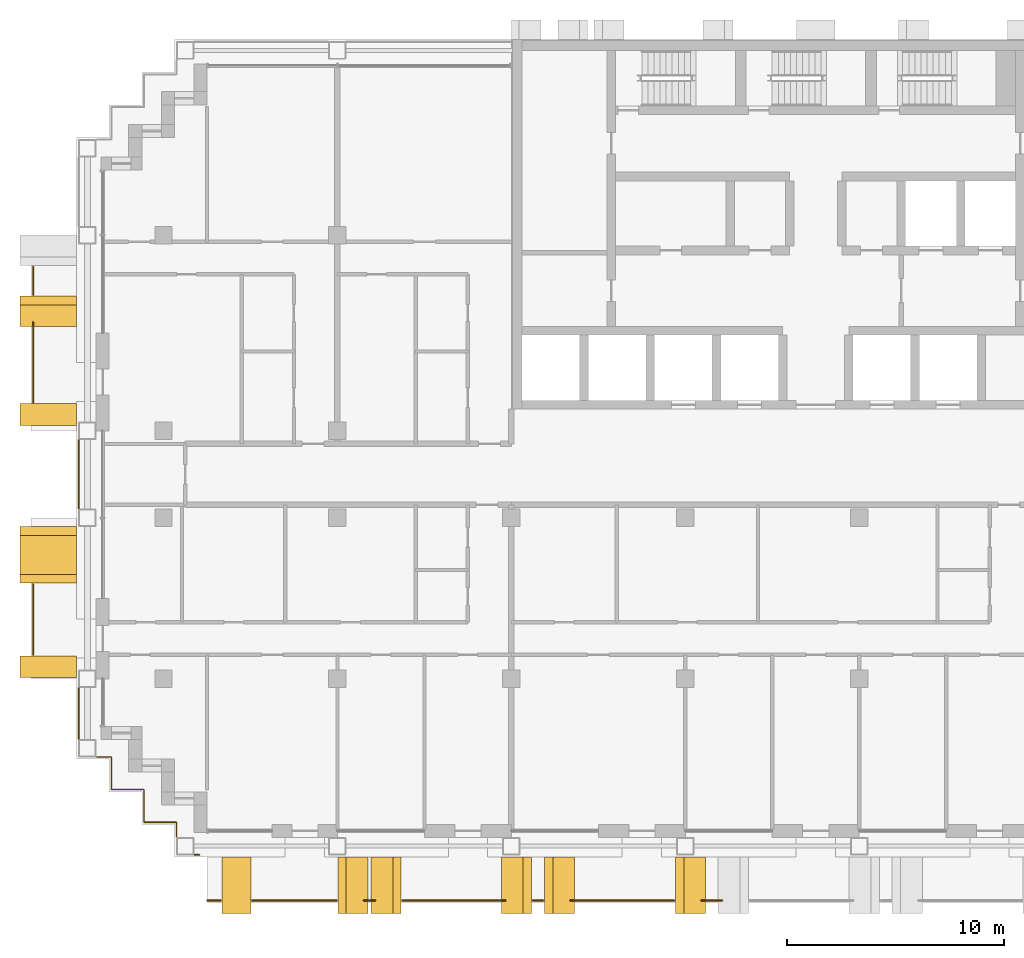
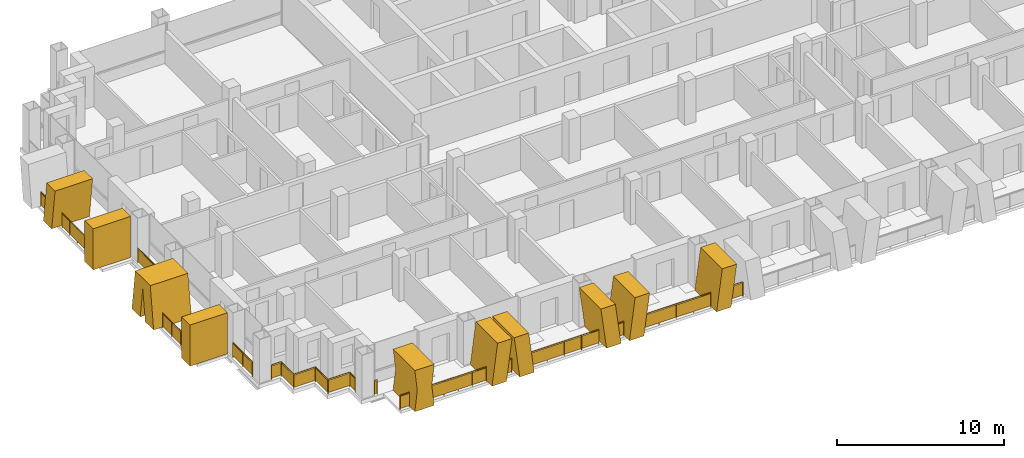
# One storey, part 13 of 18: 14 railings, 10 shading devices.
"""IFC4 building model written with IfcOpenShell, lengths in metres."""

from ifc_helpers import new_model, si_unit, direction, frame, origin, origin_2d, place, context, subcontext, project, spatial, polyline, rectangle, circle, outline, extrude, material, layer, layer_set, type_object, element, save


model = new_model("IFC4")

# Units and contexts
model_context = context("Model", 3, precision=1e-05, world=origin(), true_north=direction((0.0, 1.0)))
body_context = subcontext(model_context, "Body", "Model", "MODEL_VIEW")
ifc_project = project(units=[si_unit("LENGTHUNIT", "METRE"), si_unit("AREAUNIT", "SQUARE_METRE"), si_unit("VOLUMEUNIT", "CUBIC_METRE"), si_unit("PLANEANGLEUNIT", "RADIAN"), si_unit("MASSUNIT", "GRAM", prefix="KILO")], contexts=[model_context])

# Site, building, storey
site_placement = place(None, origin())
site = spatial("IfcSite", under=ifc_project, at=site_placement, CompositionType="ELEMENT")
building_placement = place(site_placement, origin())
building = spatial("IfcBuilding", under=site, at=building_placement, Name="Vidyagriha Tower", CompositionType="ELEMENT")
storey_placement = place(building_placement, frame((0.0, 0.0, 142.199951171875)))
storey = spatial("IfcBuildingStorey", under=building, at=storey_placement, Name="L37", CompositionType="ELEMENT", Elevation=142.199951171875)

# Railings
ifc_material_1 = material(Name="Steel ASTM A500 Grade C black painted", Category="steel")
railing_type_1 = type_object("IfcRailingType", Name="Balcony guard 1100", PredefinedType="BALUSTRADE", material=ifc_material_1)
railing_1_placement = place(storey_placement, frame((-36.0, 9.550048828125, 0.0)))
element("IfcRailing", 1, at=railing_1_placement, inside=storey, type_object=railing_type_1, Name="Balcony guard L37 R16.1-1", PredefinedType="BALUSTRADE", context=body_context, shape_type="SweptSolid", body=[
    extrude(circle(Radius=0.02490234375, at=origin_2d()), frame((0.0, 0.0, 1.0751953125), z_axis=(0.0, -1.0, 0.0), x_axis=(1.0, 0.0, 0.0)), (0.0, 0.0, 1.0), 1.300048828125),
    extrude(circle(Radius=0.02001953125, at=origin_2d()), origin(), (0.0, 0.0, 1.0), 1.050048828125),
    extrude(circle(Radius=0.02001953125, at=origin_2d()), frame((0.0, -0.64990234375, 0.0)), (0.0, 0.0, 1.0), 1.050048828125),
    extrude(circle(Radius=0.02001953125, at=origin_2d()), frame((0.0, -1.300048828125, 0.0)), (0.0, 0.0, 1.0), 1.050048828125),
    extrude(rectangle(XDim=0.010009765625, YDim=0.900146484375, at=origin_2d()), frame((0.0, 0.0, 0.550048828125), z_axis=(0.0, -1.0, 0.0), x_axis=(1.0, 0.0, 0.0)), (0.0, 0.0, 1.0), 1.300048828125),
])
railing_2_placement = place(storey_placement, frame((-36.0, 6.99658203125, 0.0)))
element("IfcRailing", 2, at=railing_2_placement, inside=storey, type_object=railing_type_1, Name="Balcony guard L37 R16.1-2", PredefinedType="BALUSTRADE", context=body_context, shape_type="SweptSolid", body=[
    extrude(circle(Radius=0.02490234375, at=origin_2d()), frame((0.0, 0.0, 1.0751953125), z_axis=(0.0, -1.0, 0.0), x_axis=(1.0, 0.0, 0.0)), (0.0, 0.0, 1.0), 3.696533203125),
    extrude(circle(Radius=0.02001953125, at=origin_2d()), origin(), (0.0, 0.0, 1.0), 1.050048828125),
    extrude(circle(Radius=0.02001953125, at=origin_2d()), frame((0.0, -0.924072265625, 0.0)), (0.0, 0.0, 1.0), 1.050048828125),
    extrude(circle(Radius=0.02001953125, at=origin_2d()), frame((0.0, -1.84814453125, 0.0)), (0.0, 0.0, 1.0), 1.050048828125),
    extrude(circle(Radius=0.02001953125, at=origin_2d()), frame((0.0, -2.7724609375, 0.0)), (0.0, 0.0, 1.0), 1.050048828125),
    extrude(circle(Radius=0.02001953125, at=origin_2d()), frame((0.0, -3.696533203125, 0.0)), (0.0, 0.0, 1.0), 1.050048828125),
    extrude(rectangle(XDim=0.010009765625, YDim=0.900146484375, at=origin_2d()), frame((0.0, 0.0, 0.550048828125), z_axis=(0.0, -1.0, 0.0), x_axis=(1.0, 0.0, 0.0)), (0.0, 0.0, 1.0), 3.696533203125),
])
railing_3_placement = place(storey_placement, frame((-36.0, -5.050048828125, 0.0)))
element("IfcRailing", 3, at=railing_3_placement, inside=storey, type_object=railing_type_1, Name="Balcony guard L37 R16.2-1", PredefinedType="BALUSTRADE", context=body_context, shape_type="SweptSolid", body=[
    extrude(circle(Radius=0.02490234375, at=origin_2d()), frame((0.0, 0.0, 1.0751953125), z_axis=(0.0, -1.0, 0.0), x_axis=(1.0, 0.0, 0.0)), (0.0, 0.0, 1.0), 3.25),
    extrude(circle(Radius=0.02001953125, at=origin_2d()), origin(), (0.0, 0.0, 1.0), 1.050048828125),
    extrude(circle(Radius=0.02001953125, at=origin_2d()), frame((0.0, -1.083251953125, 0.0)), (0.0, 0.0, 1.0), 1.050048828125),
    extrude(circle(Radius=0.02001953125, at=origin_2d()), frame((0.0, -2.166748046875, 0.0)), (0.0, 0.0, 1.0), 1.050048828125),
    extrude(circle(Radius=0.02001953125, at=origin_2d()), frame((0.0, -3.25, 0.0)), (0.0, 0.0, 1.0), 1.050048828125),
    extrude(rectangle(XDim=0.010009765625, YDim=0.900146484375, at=origin_2d()), frame((0.0, 0.0, 0.550048828125), z_axis=(0.0, -1.0, 0.0), x_axis=(1.0, 0.0, 0.0)), (0.0, 0.0, 1.0), 3.25),
])
railing_4_placement = place(storey_placement, frame((-28.0, -19.60009765625, 0.0)))
element("IfcRailing", 4, at=railing_4_placement, inside=storey, type_object=railing_type_1, Name="Balcony guard L37 R23.1-1", PredefinedType="BALUSTRADE", context=body_context, shape_type="SweptSolid", body=[
    extrude(circle(Radius=0.02490234375, at=origin_2d()), frame((0.0, 0.0, 1.0751953125), z_axis=(1.0, 0.0, 0.0), x_axis=(0.0, 1.0, 0.0)), (0.0, 0.0, 1.0), 0.6298828125),
    extrude(circle(Radius=0.02001953125, at=origin_2d()), origin(), (0.0, 0.0, 1.0), 1.050048828125),
    extrude(circle(Radius=0.02001953125, at=origin_2d()), frame((0.6298828125, 0.0, 0.0)), (0.0, 0.0, 1.0), 1.050048828125),
    extrude(rectangle(XDim=0.010009765625, YDim=0.900146484375, at=origin_2d()), frame((0.0, 0.0, 0.550048828125), z_axis=(1.0, 0.0, 0.0), x_axis=(0.0, 1.0, 0.0)), (0.0, 0.0, 1.0), 0.6298828125),
])
railing_5_placement = place(storey_placement, frame((-25.929931640625, -19.60009765625, 0.0)))
element("IfcRailing", 5, at=railing_5_placement, inside=storey, type_object=railing_type_1, Name="Balcony guard L37 R23.1-2", PredefinedType="BALUSTRADE", context=body_context, shape_type="SweptSolid", body=[
    extrude(circle(Radius=0.02490234375, at=origin_2d()), frame((0.0, 0.0, 1.0751953125), z_axis=(1.0, 0.0, 0.0), x_axis=(0.0, 1.0, 0.0)), (0.0, 0.0, 1.0), 3.896728515625),
    extrude(circle(Radius=0.02001953125, at=origin_2d()), origin(), (0.0, 0.0, 1.0), 1.050048828125),
    extrude(circle(Radius=0.02001953125, at=origin_2d()), frame((0.97412109375, 0.0, 0.0)), (0.0, 0.0, 1.0), 1.050048828125),
    extrude(circle(Radius=0.02001953125, at=origin_2d()), frame((1.9482421875, 0.0, 0.0)), (0.0, 0.0, 1.0), 1.050048828125),
    extrude(circle(Radius=0.02001953125, at=origin_2d()), frame((2.922607421875, 0.0, 0.0)), (0.0, 0.0, 1.0), 1.050048828125),
    extrude(circle(Radius=0.02001953125, at=origin_2d()), frame((3.896728515625, 0.0, 0.0)), (0.0, 0.0, 1.0), 1.050048828125),
    extrude(rectangle(XDim=0.010009765625, YDim=0.900146484375, at=origin_2d()), frame((0.0, 0.0, 0.550048828125), z_axis=(1.0, 0.0, 0.0), x_axis=(0.0, 1.0, 0.0)), (0.0, 0.0, 1.0), 3.896728515625),
])
railing_6_placement = place(storey_placement, frame((-20.786376953125, -19.60009765625, 0.0)))
element("IfcRailing", 6, at=railing_6_placement, inside=storey, type_object=railing_type_1, Name="Balcony guard L37 R23.1-3", PredefinedType="BALUSTRADE", context=body_context, shape_type="SweptSolid", body=[
    extrude(circle(Radius=0.02490234375, at=origin_2d()), frame((0.0, 0.0, 1.0751953125), z_axis=(1.0, 0.0, 0.0), x_axis=(0.0, 1.0, 0.0)), (0.0, 0.0, 1.0), 0.522705078125),
    extrude(circle(Radius=0.02001953125, at=origin_2d()), origin(), (0.0, 0.0, 1.0), 1.050048828125),
    extrude(circle(Radius=0.02001953125, at=origin_2d()), frame((0.522705078125, 0.0, 0.0)), (0.0, 0.0, 1.0), 1.050048828125),
    extrude(rectangle(XDim=0.010009765625, YDim=0.900146484375, at=origin_2d()), frame((0.0, 0.0, 0.550048828125), z_axis=(1.0, 0.0, 0.0), x_axis=(0.0, 1.0, 0.0)), (0.0, 0.0, 1.0), 0.522705078125),
])
railing_7_placement = place(storey_placement, frame((-19.0166015625, -19.60009765625, 0.0)))
element("IfcRailing", 7, at=railing_7_placement, inside=storey, type_object=railing_type_1, Name="Balcony guard L37 R23.1-4", PredefinedType="BALUSTRADE", context=body_context, shape_type="SweptSolid", body=[
    extrude(circle(Radius=0.02490234375, at=origin_2d()), frame((0.0, 0.0, 1.0751953125), z_axis=(1.0, 0.0, 0.0), x_axis=(0.0, 1.0, 0.0)), (0.0, 0.0, 1.0), 4.750244140625),
    extrude(circle(Radius=0.02001953125, at=origin_2d()), origin(), (0.0, 0.0, 1.0), 1.050048828125),
    extrude(circle(Radius=0.02001953125, at=origin_2d()), frame((1.1875, 0.0, 0.0)), (0.0, 0.0, 1.0), 1.050048828125),
    extrude(circle(Radius=0.02001953125, at=origin_2d()), frame((2.375, 0.0, 0.0)), (0.0, 0.0, 1.0), 1.050048828125),
    extrude(circle(Radius=0.02001953125, at=origin_2d()), frame((3.562744140625, 0.0, 0.0)), (0.0, 0.0, 1.0), 1.050048828125),
    extrude(circle(Radius=0.02001953125, at=origin_2d()), frame((4.750244140625, 0.0, 0.0)), (0.0, 0.0, 1.0), 1.050048828125),
    extrude(rectangle(XDim=0.010009765625, YDim=0.900146484375, at=origin_2d()), frame((0.0, 0.0, 0.550048828125), z_axis=(1.0, 0.0, 0.0), x_axis=(0.0, 1.0, 0.0)), (0.0, 0.0, 1.0), 4.750244140625),
])
railing_8_placement = place(storey_placement, frame((-13.014892578125, -19.60009765625, 0.0)))
element("IfcRailing", 8, at=railing_8_placement, inside=storey, type_object=railing_type_1, Name="Balcony guard L37 R23.1-5", PredefinedType="BALUSTRADE", context=body_context, shape_type="SweptSolid", body=[
    extrude(circle(Radius=0.02490234375, at=origin_2d()), frame((0.0, 0.0, 1.0751953125), z_axis=(1.0, 0.0, 0.0), x_axis=(0.0, 1.0, 0.0)), (0.0, 0.0, 1.0), 0.47998046875),
    extrude(circle(Radius=0.02001953125, at=origin_2d()), origin(), (0.0, 0.0, 1.0), 1.050048828125),
    extrude(circle(Radius=0.02001953125, at=origin_2d()), frame((0.47998046875, 0.0, 0.0)), (0.0, 0.0, 1.0), 1.050048828125),
    extrude(rectangle(XDim=0.010009765625, YDim=0.900146484375, at=origin_2d()), frame((0.0, 0.0, 0.550048828125), z_axis=(1.0, 0.0, 0.0), x_axis=(0.0, 1.0, 0.0)), (0.0, 0.0, 1.0), 0.47998046875),
])
railing_9_placement = place(storey_placement, frame((-11.28369140625, -19.60009765625, 0.0)))
element("IfcRailing", 9, at=railing_9_placement, inside=storey, type_object=railing_type_1, Name="Balcony guard L37 R23.1-6", PredefinedType="BALUSTRADE", context=body_context, shape_type="SweptSolid", body=[
    extrude(circle(Radius=0.02490234375, at=origin_2d()), frame((0.0, 0.0, 1.0751953125), z_axis=(1.0, 0.0, 0.0), x_axis=(0.0, 1.0, 0.0)), (0.0, 0.0, 1.0), 4.773681640625),
    extrude(circle(Radius=0.02001953125, at=origin_2d()), origin(), (0.0, 0.0, 1.0), 1.050048828125),
    extrude(circle(Radius=0.02001953125, at=origin_2d()), frame((1.193359375, 0.0, 0.0)), (0.0, 0.0, 1.0), 1.050048828125),
    extrude(circle(Radius=0.02001953125, at=origin_2d()), frame((2.38671875, 0.0, 0.0)), (0.0, 0.0, 1.0), 1.050048828125),
    extrude(circle(Radius=0.02001953125, at=origin_2d()), frame((3.580322265625, 0.0, 0.0)), (0.0, 0.0, 1.0), 1.050048828125),
    extrude(circle(Radius=0.02001953125, at=origin_2d()), frame((4.773681640625, 0.0, 0.0)), (0.0, 0.0, 1.0), 1.050048828125),
    extrude(rectangle(XDim=0.010009765625, YDim=0.900146484375, at=origin_2d()), frame((0.0, 0.0, 0.550048828125), z_axis=(1.0, 0.0, 0.0), x_axis=(0.0, 1.0, 0.0)), (0.0, 0.0, 1.0), 4.773681640625),
])
railing_10_placement = place(storey_placement, frame((-5.258544921875, -19.60009765625, 0.0)))
element("IfcRailing", 10, at=railing_10_placement, inside=storey, type_object=railing_type_1, Name="Balcony guard L37 R23.1-7", PredefinedType="BALUSTRADE", context=body_context, shape_type="SweptSolid", body=[
    extrude(circle(Radius=0.02490234375, at=origin_2d()), frame((0.0, 0.0, 1.0751953125), z_axis=(1.0, 0.0, 0.0), x_axis=(0.0, 1.0, 0.0)), (0.0, 0.0, 1.0), 0.967041015625),
    extrude(circle(Radius=0.02001953125, at=origin_2d()), origin(), (0.0, 0.0, 1.0), 1.050048828125),
    extrude(circle(Radius=0.02001953125, at=origin_2d()), frame((0.967041015625, 0.0, 0.0)), (0.0, 0.0, 1.0), 1.050048828125),
    extrude(rectangle(XDim=0.010009765625, YDim=0.900146484375, at=origin_2d()), frame((0.0, 0.0, 0.550048828125), z_axis=(1.0, 0.0, 0.0), x_axis=(0.0, 1.0, 0.0)), (0.0, 0.0, 1.0), 0.967041015625),
])

# Shading devices
ifc_material_2 = material(Name="Precast concrete C40/50 with buff brick facing", Category="concrete")
ifc_layer_1 = layer(ifc_material_2, 1.0)
ifc_layer_set_1 = layer_set([ifc_layer_1], Name="Precast concrete C40/50 with buff brick facing")
shading_device_type_1 = type_object("IfcShadingDeviceType", Name="Brick-faced blade fin arm leaning 8 degrees", PredefinedType="USERDEFINED", material=ifc_layer_set_1)
shading_device_1_placement = place(storey_placement, frame((-35.300048828125, 8.199951171875, 0.0), z_axis=(0.0, 0.0, 1.0), x_axis=(0.0, -1.0, 0.0)))
element("IfcShadingDevice", 11, at=shading_device_1_placement, inside=storey, type_object=shading_device_type_1, Name="Leaning blade fin L37 R16.300a", ObjectType="BLADE FIN", PredefinedType="USERDEFINED", context=body_context, shape_type="SweptSolid", body=[
    extrude(outline(polyline([(0.0, 0.0), (1.0, 0.0), (1.39990234375, 3.0), (0.39990234375, 3.0), (0.0, 0.0)])), frame((0.0, 1.300048828125, 0.0), z_axis=(0.0, -1.0, 0.0), x_axis=(1.0, 0.0, 0.0)), (0.0, 0.0, 1.0), 2.60009765625),
])
shading_device_2_placement = place(storey_placement, frame((-20.449951171875, -18.89990234375, 0.0)))
element("IfcShadingDevice", 12, at=shading_device_2_placement, inside=storey, type_object=shading_device_type_1, Name="Leaning blade fin L37 R23.600a", ObjectType="BLADE FIN", PredefinedType="USERDEFINED", context=body_context, shape_type="SweptSolid", body=[
    extrude(outline(polyline([(0.38330078125, 0.0), (1.38330078125, 0.0), (1.0, 3.0), (0.0, 3.0), (0.38330078125, 0.0)])), frame((0.0, 1.300048828125, 0.0), z_axis=(0.0, -1.0, 0.0), x_axis=(1.0, 0.0, 0.0)), (0.0, 0.0, 1.0), 2.60009765625),
])
shading_device_3_placement = place(storey_placement, frame((-21.9833984375, -18.89990234375, 0.0)))
element("IfcShadingDevice", 13, at=shading_device_3_placement, inside=storey, type_object=shading_device_type_1, Name="Leaning blade fin L37 R23.600b", ObjectType="BLADE FIN", PredefinedType="USERDEFINED", context=body_context, shape_type="SweptSolid", body=[
    extrude(outline(polyline([(0.0, 0.0), (1.0, 0.0), (1.38330078125, 3.0), (0.38330078125, 3.0), (0.0, 0.0)])), frame((0.0, 1.300048828125, 0.0), z_axis=(0.0, -1.0, 0.0), x_axis=(1.0, 0.0, 0.0)), (0.0, 0.0, 1.0), 2.60009765625),
])
shading_device_4_placement = place(storey_placement, frame((-12.485107421875, -18.89990234375, 0.0)))
element("IfcShadingDevice", 14, at=shading_device_4_placement, inside=storey, type_object=shading_device_type_1, Name="Leaning blade fin L37 R23.1400a", ObjectType="BLADE FIN", PredefinedType="USERDEFINED", context=body_context, shape_type="SweptSolid", body=[
    extrude(outline(polyline([(0.0, 0.0), (1.0, 0.0), (1.39501953125, 3.0), (0.39501953125, 3.0), (0.0, 0.0)])), frame((0.0, 1.300048828125, 0.0), z_axis=(0.0, -1.0, 0.0), x_axis=(1.0, 0.0, 0.0)), (0.0, 0.0, 1.0), 2.60009765625),
])
shading_device_5_placement = place(storey_placement, frame((-14.4599609375, -18.89990234375, 0.0)))
element("IfcShadingDevice", 15, at=shading_device_5_placement, inside=storey, type_object=shading_device_type_1, Name="Leaning blade fin L37 R23.1400b", ObjectType="BLADE FIN", PredefinedType="USERDEFINED", context=body_context, shape_type="SweptSolid", body=[
    extrude(outline(polyline([(0.39501953125, 0.0), (1.39501953125, 0.0), (1.0, 3.0), (0.0, 3.0), (0.39501953125, 0.0)])), frame((0.0, 1.300048828125, 0.0), z_axis=(0.0, -1.0, 0.0), x_axis=(1.0, 0.0, 0.0)), (0.0, 0.0, 1.0), 2.60009765625),
])
shading_device_6_placement = place(storey_placement, frame((-6.4599609375, -18.89990234375, 0.0)))
element("IfcShadingDevice", 16, at=shading_device_6_placement, inside=storey, type_object=shading_device_type_1, Name="Leaning blade fin L37 R23.2200b", ObjectType="BLADE FIN", PredefinedType="USERDEFINED", context=body_context, shape_type="SweptSolid", body=[
    extrude(outline(polyline([(0.0, 0.0), (1.0, 0.0), (1.39501953125, 3.0), (0.39501953125, 3.0), (0.0, 0.0)])), frame((0.0, 1.300048828125, 0.0), z_axis=(0.0, -1.0, 0.0), x_axis=(1.0, 0.0, 0.0)), (0.0, 0.0, 1.0), 2.60009765625),
])
ifc_material_3 = material(Name="Precast concrete C40/50 with buff brick facing", Category="concrete")
ifc_layer_2 = layer(ifc_material_3, 1.0)
ifc_layer_set_2 = layer_set([ifc_layer_2], Name="Precast concrete C40/50 with buff brick facing")
shading_device_type_2 = type_object("IfcShadingDeviceType", Name="Brick-faced blade fin forking 8 degrees", PredefinedType="USERDEFINED", material=ifc_layer_set_2)
shading_device_7_placement = place(storey_placement, frame((-35.300048828125, -2.39990234375, 0.0), z_axis=(0.0, 0.0, 1.0), x_axis=(0.0, -1.0, 0.0)))
element("IfcShadingDevice", 17, at=shading_device_7_placement, inside=storey, type_object=shading_device_type_2, Name="Forked blade fin L37 R16.1600a", ObjectType="BLADE FIN", PredefinedType="USERDEFINED", context=body_context, shape_type="SweptSolid", body=[
    extrude(outline(polyline([(1.0, 0.0), (1.300048828125, 2.25), (1.60009765625, 0.0), (2.60009765625, 0.0), (2.199951171875, 3.0), (0.39990234375, 3.0), (0.0, 0.0), (1.0, 0.0)])), frame((0.0, 1.300048828125, 0.0), z_axis=(0.0, -1.0, 0.0), x_axis=(1.0, 0.0, 0.0)), (0.0, 0.0, 1.0), 2.60009765625),
])
shading_device_8_placement = place(storey_placement, frame((-27.320068359375, -18.89990234375, 0.0)))
element("IfcShadingDevice", 18, at=shading_device_8_placement, inside=storey, type_object=shading_device_type_2, Name="Forked blade fin L37 R23.0a", ObjectType="BLADE FIN", PredefinedType="USERDEFINED", context=body_context, shape_type="SweptSolid", body=[
    extrude(outline(polyline([(1.340087890625, 0.0), (1.169921875, 1.5), (1.340087890625, 3.0), (0.0, 3.0), (0.169921875, 1.5), (0.0, 0.0), (1.340087890625, 0.0)])), frame((0.0, 1.300048828125, 0.0), z_axis=(0.0, -1.0, 0.0), x_axis=(1.0, 0.0, 0.0)), (0.0, 0.0, 1.0), 2.60009765625),
])
ifc_material_4 = material(Name="Precast concrete C40/50 with buff brick facing", Category="concrete")
ifc_layer_3 = layer(ifc_material_4, 1.0)
ifc_layer_set_3 = layer_set([ifc_layer_3], Name="Precast concrete C40/50 with buff brick facing")
shading_device_type_3 = type_object("IfcShadingDeviceType", Name="Brick-faced blade fin stem 1000", PredefinedType="USERDEFINED", material=ifc_layer_set_3)
for number, where, z_axis, x_axis, name in (
    (19, (-35.300048828125, 3.25, 0.0), (0.0, 0.0, 1.0), (0.0, -1.0, 0.0), "Stem blade fin L37 R16.1200a"),
    (20, (-35.300048828125, -8.35009765625, 0.0), (0.0, 0.0, 1.0), (0.0, -1.0, 0.0), "Stem blade fin L37 R16.2340a"),
):
    element("IfcShadingDevice", number, at=place(storey_placement, frame(where, z_axis=z_axis, x_axis=x_axis)), inside=storey, type_object=shading_device_type_3, Name=name, ObjectType="BLADE FIN", PredefinedType="USERDEFINED", context=body_context, shape_type="SweptSolid", body=[
        extrude(outline(polyline([(0.0, 0.0), (1.0, 0.0), (1.0, 3.0), (0.0, 3.0), (0.0, 0.0)])), frame((0.0, 1.300048828125, 0.0), z_axis=(0.0, -1.0, 0.0), x_axis=(1.0, 0.0, 0.0)), (0.0, 0.0, 1.0), 2.60009765625),
    ])

# Railings
ifc_material_5 = material(Name="Steel ASTM A500 Grade C black painted", Category="steel")
railing_type_2 = type_object("IfcRailingType", Name="Gallery guard 1100", PredefinedType="GUARDRAIL", material=ifc_material_5)
railing_11_placement = place(storey_placement, frame((-33.89990234375, -12.169921875, 0.0)))
element("IfcRailing", 21, at=railing_11_placement, inside=storey, type_object=railing_type_2, Name="Gallery guard L37 1", PredefinedType="GUARDRAIL", context=body_context, shape_type="SweptSolid", body=[
    extrude(circle(Radius=0.02490234375, at=origin_2d()), frame((0.0, 0.0, 1.0751953125), z_axis=(0.0, 1.0, 0.0), x_axis=(-1.0, 0.0, 0.0)), (0.0, 0.0, 1.0), 2.33984375),
    extrude(circle(Radius=0.02001953125, at=origin_2d()), origin(), (0.0, 0.0, 1.0), 1.050048828125),
    extrude(circle(Radius=0.02001953125, at=origin_2d()), frame((0.0, 1.169921875, 0.0)), (0.0, 0.0, 1.0), 1.050048828125),
    extrude(circle(Radius=0.02001953125, at=origin_2d()), frame((0.0, 2.33984375, 0.0)), (0.0, 0.0, 1.0), 1.050048828125),
    extrude(rectangle(XDim=0.010009765625, YDim=0.900146484375, at=origin_2d()), frame((0.0, 0.0, 0.550048828125), z_axis=(0.0, 1.0, 0.0), x_axis=(-1.0, 0.0, 0.0)), (0.0, 0.0, 1.0), 2.33984375),
])
railing_12_placement = place(storey_placement, frame((-33.89990234375, -1.570068359375, 0.0)))
element("IfcRailing", 22, at=railing_12_placement, inside=storey, type_object=railing_type_2, Name="Gallery guard L37 2", PredefinedType="GUARDRAIL", context=body_context, shape_type="SweptSolid", body=[
    extrude(circle(Radius=0.02490234375, at=origin_2d()), frame((0.0, 0.0, 1.0751953125), z_axis=(0.0, 1.0, 0.0), x_axis=(-1.0, 0.0, 0.0)), (0.0, 0.0, 1.0), 3.14013671875),
    extrude(circle(Radius=0.02001953125, at=origin_2d()), origin(), (0.0, 0.0, 1.0), 1.050048828125),
    extrude(circle(Radius=0.02001953125, at=origin_2d()), frame((0.0, 1.046630859375, 0.0)), (0.0, 0.0, 1.0), 1.050048828125),
    extrude(circle(Radius=0.02001953125, at=origin_2d()), frame((0.0, 2.093505859375, 0.0)), (0.0, 0.0, 1.0), 1.050048828125),
    extrude(circle(Radius=0.02001953125, at=origin_2d()), frame((0.0, 3.14013671875, 0.0)), (0.0, 0.0, 1.0), 1.050048828125),
    extrude(rectangle(XDim=0.010009765625, YDim=0.900146484375, at=origin_2d()), frame((0.0, 0.0, 0.550048828125), z_axis=(0.0, 1.0, 0.0), x_axis=(-1.0, 0.0, 0.0)), (0.0, 0.0, 1.0), 3.14013671875),
])
railing_13_placement = place(storey_placement, frame((-29.39990234375, -16.669921875, 0.0)))
element("IfcRailing", 23, at=railing_13_placement, inside=storey, type_object=railing_type_2, Name="Gallery guard L37 4", PredefinedType="GUARDRAIL", context=body_context, shape_type="SweptSolid", body=[
    extrude(circle(Radius=0.02490234375, at=origin_2d()), frame((0.0, 0.0, 1.0751953125), z_axis=(0.0, 1.0, 0.0), x_axis=(-1.0, 0.0, 0.0)), (0.0, 0.0, 1.0), 0.669921875),
    extrude(circle(Radius=0.02490234375, at=origin_2d()), frame((0.0, 0.669921875, 1.0751953125), z_axis=(-1.0, 0.0, 0.0), x_axis=(0.0, -1.0, 0.0)), (0.0, 0.0, 1.0), 1.5),
    extrude(circle(Radius=0.02490234375, at=origin_2d()), frame((-1.5, 0.669921875, 1.0751953125), z_axis=(0.0, 1.0, 0.0), x_axis=(-1.0, 0.0, 0.0)), (0.0, 0.0, 1.0), 1.5),
    extrude(circle(Radius=0.02490234375, at=origin_2d()), frame((-1.5, 2.169921875, 1.0751953125), z_axis=(-1.0, 0.0, 0.0), x_axis=(0.0, -1.0, 0.0)), (0.0, 0.0, 1.0), 1.5),
    extrude(circle(Radius=0.02490234375, at=origin_2d()), frame((-3.0, 2.169921875, 1.0751953125), z_axis=(0.0, 1.0, 0.0), x_axis=(-1.0, 0.0, 0.0)), (0.0, 0.0, 1.0), 1.5),
    extrude(circle(Radius=0.02490234375, at=origin_2d()), frame((-3.0, 3.669921875, 1.0751953125), z_axis=(-1.0, 0.0, 0.0), x_axis=(0.0, -1.0, 0.0)), (0.0, 0.0, 1.0), 0.670166015625),
    extrude(circle(Radius=0.02001953125, at=origin_2d()), origin(), (0.0, 0.0, 1.0), 1.050048828125),
    extrude(circle(Radius=0.02001953125, at=origin_2d()), frame((0.0, 0.669921875, 0.0)), (0.0, 0.0, 1.0), 1.050048828125),
    extrude(circle(Radius=0.02001953125, at=origin_2d()), frame((-1.5, 0.669921875, 0.0)), (0.0, 0.0, 1.0), 1.050048828125),
    extrude(circle(Radius=0.02001953125, at=origin_2d()), frame((-1.5, 2.169921875, 0.0)), (0.0, 0.0, 1.0), 1.050048828125),
    extrude(circle(Radius=0.02001953125, at=origin_2d()), frame((-3.0, 2.169921875, 0.0)), (0.0, 0.0, 1.0), 1.050048828125),
    extrude(circle(Radius=0.02001953125, at=origin_2d()), frame((-3.0, 3.669921875, 0.0)), (0.0, 0.0, 1.0), 1.050048828125),
    extrude(circle(Radius=0.02001953125, at=origin_2d()), frame((-3.670166015625, 3.669921875, 0.0)), (0.0, 0.0, 1.0), 1.050048828125),
    extrude(rectangle(XDim=0.010009765625, YDim=0.900146484375, at=origin_2d()), frame((0.0, 0.0, 0.550048828125), z_axis=(0.0, 1.0, 0.0), x_axis=(-1.0, 0.0, 0.0)), (0.0, 0.0, 1.0), 0.669921875),
    extrude(rectangle(XDim=0.010009765625, YDim=0.900146484375, at=origin_2d()), frame((0.0, 0.669921875, 0.550048828125), z_axis=(-1.0, 0.0, 0.0), x_axis=(0.0, -1.0, 0.0)), (0.0, 0.0, 1.0), 1.5),
    extrude(rectangle(XDim=0.010009765625, YDim=0.900146484375, at=origin_2d()), frame((-1.5, 0.669921875, 0.550048828125), z_axis=(0.0, 1.0, 0.0), x_axis=(-1.0, 0.0, 0.0)), (0.0, 0.0, 1.0), 1.5),
    extrude(rectangle(XDim=0.010009765625, YDim=0.900146484375, at=origin_2d()), frame((-1.5, 2.169921875, 0.550048828125), z_axis=(-1.0, 0.0, 0.0), x_axis=(0.0, -1.0, 0.0)), (0.0, 0.0, 1.0), 1.5),
    extrude(rectangle(XDim=0.010009765625, YDim=0.900146484375, at=origin_2d()), frame((-3.0, 2.169921875, 0.550048828125), z_axis=(0.0, 1.0, 0.0), x_axis=(-1.0, 0.0, 0.0)), (0.0, 0.0, 1.0), 1.5),
    extrude(rectangle(XDim=0.010009765625, YDim=0.900146484375, at=origin_2d()), frame((-3.0, 3.669921875, 0.550048828125), z_axis=(-1.0, 0.0, 0.0), x_axis=(0.0, -1.0, 0.0)), (0.0, 0.0, 1.0), 0.670166015625),
])
railing_14_placement = place(storey_placement, frame((-28.360107421875, -17.5, 0.0)))
element("IfcRailing", 24, at=railing_14_placement, inside=storey, type_object=railing_type_2, Name="Gallery guard L37 6", PredefinedType="GUARDRAIL", context=body_context, shape_type="SweptSolid", body=[
    extrude(circle(Radius=0.02490234375, at=origin_2d()), frame((0.0, 0.0, 1.0751953125), z_axis=(-1.0, 0.0, 0.0), x_axis=(0.0, -1.0, 0.0)), (0.0, 0.0, 1.0), 0.2099609375),
    extrude(circle(Radius=0.02001953125, at=origin_2d()), origin(), (0.0, 0.0, 1.0), 1.050048828125),
    extrude(circle(Radius=0.02001953125, at=origin_2d()), frame((-0.2099609375, 0.0, 0.0)), (0.0, 0.0, 1.0), 1.050048828125),
    extrude(rectangle(XDim=0.010009765625, YDim=0.900146484375, at=origin_2d()), frame((0.0, 0.0, 0.550048828125), z_axis=(-1.0, 0.0, 0.0), x_axis=(0.0, -1.0, 0.0)), (0.0, 0.0, 1.0), 0.2099609375),
])

save(model, "model.ifc")
